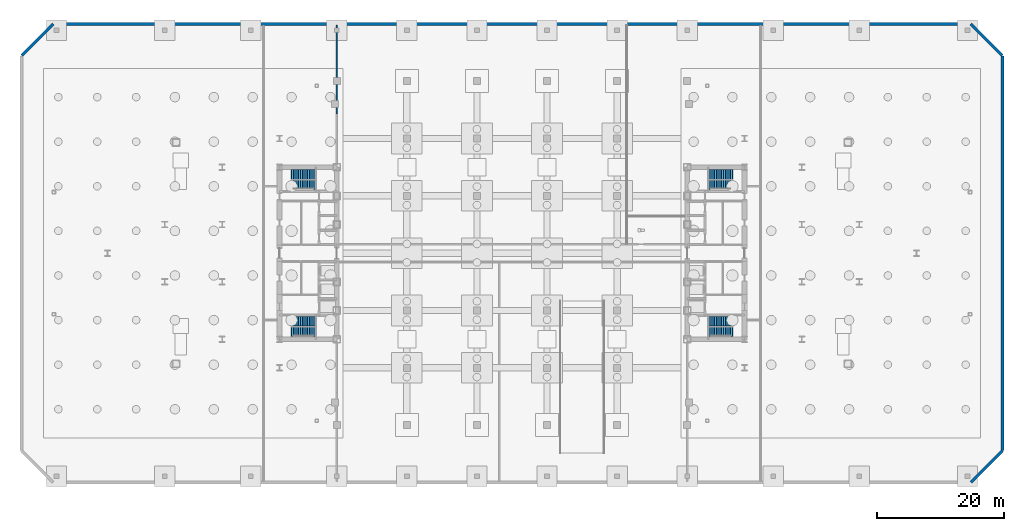
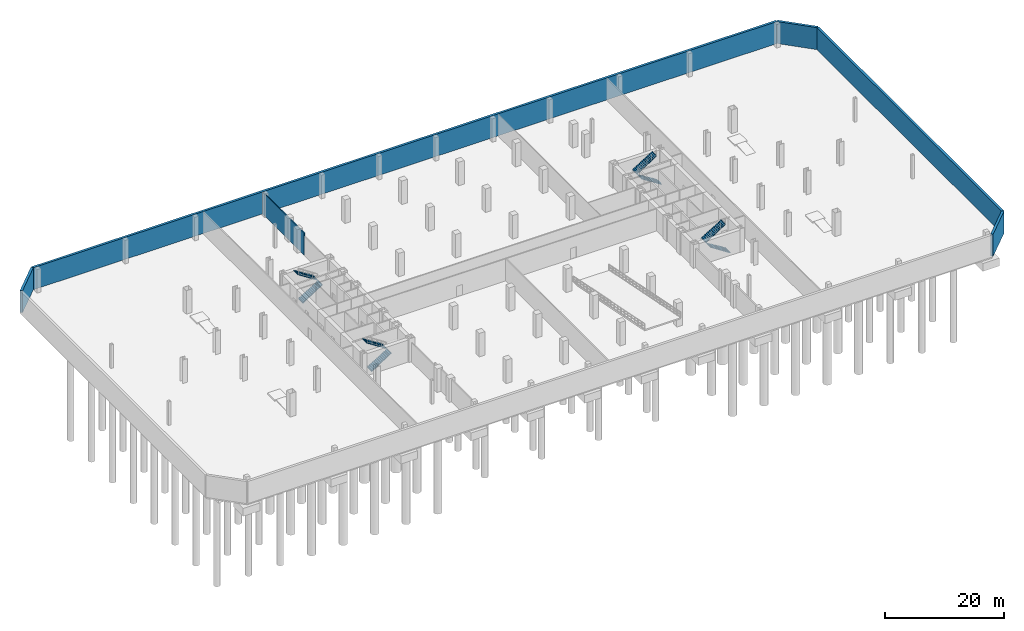
# One storey, part 15 of 18: 8 stair flights, 6 walls, 4 elements without a shape of their own.
"""IFC4 building model written with IfcOpenShell, lengths in metres."""

import ifcopenshell
import ifcopenshell.guid

model = None  # the IFC model being written
_history = None  # IfcOwnerHistory: only IFC2X3 demands one
_inside = {}  # id of a spatial element -> (the spatial element, [elements in it])
_under = {}  # id of a project, library or spatial element -> (it, [spatial elements below it])
_declared = {}  # id of a project -> (the project, [libraries it declares])
_typed = {}  # id of a type object -> (the type object, [elements of that type])
_made_of = {}  # id of a material, layer set ... -> (it, [elements and type objects made of it])


def new_model(schema):
    """Start an empty IFC model of exactly this schema.

    Asked for "IFC4X3", IfcOpenShell would pick the latest addendum, in which some entities
    have other attributes; the version numbers below select the first issue.
    IFC2X3 requires an IfcOwnerHistory on every rooted entity: one is made here for all.
    """
    global model, _history
    if schema == "IFC4X3":
        model = ifcopenshell.file(schema_version=(4, 3, 0, 0))
    else:
        model = ifcopenshell.file(schema=schema)
    _inside.clear()
    _under.clear()
    _declared.clear()
    _typed.clear()
    _made_of.clear()
    _history = None
    if model.schema == "IFC2X3":
        org = make("IfcOrganization", Name="unknown")
        user = make(
            "IfcPersonAndOrganization",
            ThePerson=make("IfcPerson", FamilyName="unknown"),
            TheOrganization=org,
        )
        app = make(
            "IfcApplication",
            ApplicationDeveloper=org,
            Version="unknown",
            ApplicationFullName="unknown",
            ApplicationIdentifier="unknown",
        )
        _history = make(
            "IfcOwnerHistory",
            OwningUser=user,
            OwningApplication=app,
            ChangeAction="ADDED",
            CreationDate=0,
        )
    return model


def make(cls, **values):
    """One entity of the class cls with the attributes given. An attribute that is None is left unset."""
    return model.create_entity(
        cls, **{name: value for name, value in values.items() if value is not None}
    )


def rooted(cls, **values):
    """An entity with a GlobalId (a new one), such as an element, a storey or a relation."""
    return make(cls, GlobalId=ifcopenshell.guid.new(), OwnerHistory=_history, **values)


def si_unit(unit_type, name, prefix=None):
    """IfcSIUnit, for example si_unit("LENGTHUNIT", "METRE", prefix="MILLI")."""
    return make("IfcSIUnit", UnitType=unit_type, Prefix=prefix, Name=name)


def assignment(units):
    """IfcUnitAssignment: the units of a project."""
    return None if units is None else make("IfcUnitAssignment", Units=units)


def point(xyz):
    """IfcCartesianPoint."""
    return None if xyz is None else make("IfcCartesianPoint", Coordinates=xyz)


def direction(xyz):
    """IfcDirection."""
    return None if xyz is None else make("IfcDirection", DirectionRatios=xyz)


def frame(location, z_axis=None, x_axis=None):
    """IfcAxis2Placement3D, a coordinate frame: its origin and axes. An axis left out is left unset."""
    return make(
        "IfcAxis2Placement3D",
        Location=point(location),
        Axis=direction(z_axis),
        RefDirection=direction(x_axis),
    )


def frame_2d(location, x_axis=None):
    """IfcAxis2Placement2D, a coordinate frame in the plane: its origin and x axis."""
    return make(
        "IfcAxis2Placement2D", Location=point(location), RefDirection=direction(x_axis)
    )


def origin():
    """The frame at (0, 0, 0) with its axes left unset."""
    return frame((0.0, 0.0, 0.0))


def place(relative_to, where):
    """IfcLocalPlacement: puts the frame where relative to a parent placement (None: the world)."""
    return make(
        "IfcLocalPlacement", PlacementRelTo=relative_to, RelativePlacement=where
    )


def context(
    kind, dimensions, precision=None, world=None, true_north=None, identifier=None
):
    """IfcGeometricRepresentationContext, for example the 3D "Model" context."""
    return make(
        "IfcGeometricRepresentationContext",
        ContextIdentifier=identifier,
        ContextType=kind,
        CoordinateSpaceDimension=dimensions,
        Precision=precision,
        WorldCoordinateSystem=world,
        TrueNorth=true_north,
    )


def subcontext(parent, identifier, kind, view, scale=None):
    """IfcGeometricRepresentationSubContext, for example "Body" below "Model"."""
    return make(
        "IfcGeometricRepresentationSubContext",
        ContextIdentifier=identifier,
        ContextType=kind,
        ParentContext=parent,
        TargetScale=scale,
        TargetView=view,
    )


def project(units=None, contexts=None):
    """IfcProject with its units and contexts."""
    return rooted(
        "IfcProject",
        Name="project",
        RepresentationContexts=contexts,
        UnitsInContext=assignment(units),
    )


def spatial(cls, under=None, at=None, **own):
    """A site, building, storey or space (cls), placed at a placement, below another one or the project."""
    s = rooted(cls, ObjectPlacement=at, **own)
    if under is not None:
        _under.setdefault(under.id(), (under, []))[1].append(s)
    return s


def polyline(points):
    """IfcPolyline through the points."""
    return make("IfcPolyline", Points=[point(p) for p in points])


def profile(cls, at=None, kind="AREA", **sizes):
    """A parametric profile (cls). Its sizes go by their IFC names, for example OverallWidth=200.0."""
    return make(cls, ProfileType=kind, Position=at, **sizes)


def rectangle(**sizes):
    """IfcRectangleProfileDef."""
    return profile("IfcRectangleProfileDef", **sizes)


def outline(outer, holes=None, kind="AREA"):
    """IfcArbitraryClosedProfileDef: a profile drawn as a closed curve; with holes, ...WithVoids."""
    if holes is None:
        return make("IfcArbitraryClosedProfileDef", ProfileType=kind, OuterCurve=outer)
    return make(
        "IfcArbitraryProfileDefWithVoids",
        ProfileType=kind,
        OuterCurve=outer,
        InnerCurves=holes,
    )


def extrude(swept, where, along, depth):
    """IfcExtrudedAreaSolid: the profile swept, set in the frame where, extruded along a direction by depth."""
    return make(
        "IfcExtrudedAreaSolid",
        SweptArea=swept,
        Position=where,
        ExtrudedDirection=direction(along),
        Depth=depth,
    )


def shape(context_of_items, identifier, shape_type, items):
    """IfcShapeRepresentation: the items that make up one representation, for example the "Body"."""
    return make(
        "IfcShapeRepresentation",
        ContextOfItems=context_of_items,
        RepresentationIdentifier=identifier,
        RepresentationType=shape_type,
        Items=items,
    )


def material(Name=None, Category=None):
    """IfcMaterial."""
    return make("IfcMaterial", Name=Name, Category=Category)


def layer(
    of_material, thickness, ventilated=None, Name=None, Category=None, Priority=None
):
    """IfcMaterialLayer: one layer of a wall or slab, of a material (None: an air gap)."""
    return make(
        "IfcMaterialLayer",
        Material=of_material,
        LayerThickness=thickness,
        IsVentilated=ventilated,
        Name=Name,
        Category=Category,
        Priority=Priority,
    )


def layer_set(layers, Name=None):
    """IfcMaterialLayerSet."""
    return make("IfcMaterialLayerSet", MaterialLayers=layers, LayerSetName=Name)


def made_of(thing, what):
    """Note that an element or type object is made of a material, layer set ...; save() writes the relation."""
    if what is not None:
        _made_of.setdefault(what.id(), (what, []))[1].append(thing)
    return thing


def type_object(cls, material=None, **own):
    """A type object (cls), such as IfcWallType, which elements share."""
    return made_of(rooted(cls, **own), material)


def element(
    cls,
    number,
    at=None,
    inside=None,
    cuts=None,
    type_object=None,
    material=None,
    context=None,
    identifier="Body",
    shape_type=None,
    held_by="IfcProductDefinitionShape",
    body=None,
    shapes=None,
    **own,
):
    """One element of the class cls, such as IfcWall. Its Tag is "e" and its number.

    at: its placement. inside: the storey or other place that contains it. cuts: it is an
    opening in that element (IfcRelVoidsElement). A single representation is given by context,
    identifier, shape_type and body (its items); several are given by shapes. held_by: the class
    of the entity that holds the representations. save() writes the other relations.
    """
    e = rooted(cls, Tag="e%d" % number, ObjectPlacement=at, **own)
    if body is not None:
        shapes = [shape(context, identifier, shape_type, body)]
    if shapes is not None:
        e.Representation = make(held_by, Representations=shapes)
    if inside is not None:
        _inside.setdefault(inside.id(), (inside, []))[1].append(e)
    if cuts is not None:
        rooted(
            "IfcRelVoidsElement", RelatingBuildingElement=cuts, RelatedOpeningElement=e
        )
    if type_object is not None:
        _typed.setdefault(type_object.id(), (type_object, []))[1].append(e)
    return made_of(e, material)


def aggregate(whole, parts):
    """IfcRelAggregates: a whole, such as a stair, and the parts it consists of."""
    return rooted("IfcRelAggregates", RelatingObject=whole, RelatedObjects=parts)


def save(model, path):
    """Write the relations noted so far, then the file.

    IfcRelAggregates (storeys below a building ...), IfcRelContainedInSpatialStructure (elements
    in a storey), IfcRelDefinesByType, IfcRelAssociatesMaterial and IfcRelDeclares: one each for
    every whole, place, type object, material and project.
    """
    for whole, parts in _under.values():
        aggregate(whole, parts)
    for where, things in _inside.values():
        rooted(
            "IfcRelContainedInSpatialStructure",
            RelatedElements=things,
            RelatingStructure=where,
        )
    for kind, things in _typed.values():
        rooted("IfcRelDefinesByType", RelatedObjects=things, RelatingType=kind)
    for what, things in _made_of.values():
        rooted("IfcRelAssociatesMaterial", RelatedObjects=things, RelatingMaterial=what)
    for by, libraries in _declared.values():
        rooted("IfcRelDeclares", RelatingContext=by, RelatedDefinitions=libraries)
    model.write(path)


model = new_model("IFC4")

# Units and contexts
model_context = context("Model", 3, precision=1e-05, world=origin(), true_north=direction((0.0, 1.0)))
body_context = subcontext(model_context, "Body", "Model", "MODEL_VIEW")
ifc_project = project(units=[si_unit("LENGTHUNIT", "METRE"), si_unit("AREAUNIT", "SQUARE_METRE"), si_unit("VOLUMEUNIT", "CUBIC_METRE"), si_unit("PLANEANGLEUNIT", "RADIAN"), si_unit("MASSUNIT", "GRAM", prefix="KILO")], contexts=[model_context])

# Site, building, storey
site_placement = place(None, origin())
site = spatial("IfcSite", under=ifc_project, at=site_placement, CompositionType="ELEMENT")
building_placement = place(site_placement, origin())
building = spatial("IfcBuilding", under=site, at=building_placement, Name="Seokmaru Belvedere", CompositionType="ELEMENT")
storey_placement = place(building_placement, frame((0.0, 0.0, -9.60009765625)))
storey = spatial("IfcBuildingStorey", under=building, at=storey_placement, Name="B2", CompositionType="ELEMENT", Elevation=-9.60009765625)

# Walls
ifc_material_1 = material(Name="Concrete C50 (50 MPa)", Category="concrete")
ifc_layer_1 = layer(ifc_material_1, 0.449951171875)
ifc_layer_set_1 = layer_set([ifc_layer_1], Name="Concrete C50 (50 MPa)")
wall_type_1 = type_object("IfcWallType", Name="Basement Perimeter Retaining Wall 450", PredefinedType="USERDEFINED", material=ifc_layer_set_1)
wall_1_placement = place(storey_placement, frame((72.0283203125, -35.9716796875, 0.0), z_axis=(0.0, 0.0, 1.0), x_axis=(0.707106781187, 0.707106781187, 0.0)))
element("IfcWall", 1, at=wall_1_placement, inside=storey, type_object=wall_type_1, Name="B2 Perimeter Retaining Wall 2", ObjectType="RETAININGWALL", PredefinedType="USERDEFINED", context=body_context, shape_type="SweptSolid", body=[
    extrude(rectangle(XDim=6.990966796875, YDim=0.449951171875, at=frame_2d((3.49560546875, 0.0))), origin(), (0.0, 0.0, 1.0), 4.5),
])
wall_2_placement = place(storey_placement, frame((77.0, -30.9599609375, 0.0), z_axis=(0.0, 0.0, 1.0), x_axis=(0.0, 1.0, 0.0)))
element("IfcWall", 2, at=wall_2_placement, inside=storey, type_object=wall_type_1, Name="B2 Perimeter Retaining Wall 3", ObjectType="RETAININGWALL", PredefinedType="USERDEFINED", context=body_context, shape_type="SweptSolid", body=[
    extrude(rectangle(XDim=61.919921875, YDim=0.449951171875, at=frame_2d((30.9599609375, 0.0))), origin(), (0.0, 0.0, 1.0), 4.5),
])
wall_3_placement = place(storey_placement, frame((76.9716796875, 31.0283203125, 0.0), z_axis=(0.0, 0.0, 1.0), x_axis=(-0.707106781187, 0.707106781187, 0.0)))
element("IfcWall", 3, at=wall_3_placement, inside=storey, type_object=wall_type_1, Name="B2 Perimeter Retaining Wall 4", ObjectType="RETAININGWALL", PredefinedType="USERDEFINED", context=body_context, shape_type="SweptSolid", body=[
    extrude(rectangle(XDim=6.990966796875, YDim=0.449951171875, at=frame_2d((3.49560546875, 0.0))), origin(), (0.0, 0.0, 1.0), 4.5),
])
wall_4_placement = place(storey_placement, frame((71.9599609375, 36.0, 0.0), z_axis=(0.0, 0.0, 1.0), x_axis=(-1.0, 0.0, 0.0)))
element("IfcWall", 4, at=wall_4_placement, inside=storey, type_object=wall_type_1, Name="B2 Perimeter Retaining Wall 5", ObjectType="RETAININGWALL", PredefinedType="USERDEFINED", context=body_context, shape_type="SweptSolid", body=[
    extrude(rectangle(XDim=143.919921875, YDim=0.449951171875, at=frame_2d((71.9599609375, 0.0))), origin(), (0.0, 0.0, 1.0), 4.5),
])
wall_5_placement = place(storey_placement, frame((-72.0283203125, 35.9716796875, 0.0), z_axis=(0.0, 0.0, 1.0), x_axis=(-0.707106781187, -0.707106781187, 0.0)))
element("IfcWall", 5, at=wall_5_placement, inside=storey, type_object=wall_type_1, Name="B2 Perimeter Retaining Wall 6", ObjectType="RETAININGWALL", PredefinedType="USERDEFINED", context=body_context, shape_type="SweptSolid", body=[
    extrude(rectangle(XDim=6.990966796875, YDim=0.449951171875, at=frame_2d((3.49560546875, 0.0))), origin(), (0.0, 0.0, 1.0), 4.5),
])
ifc_material_2 = material(Name="Fire-Rated Gypsum Shaftwall")
ifc_layer_2 = layer(ifc_material_2, 0.199951171875)
ifc_layer_set_2 = layer_set([ifc_layer_2], Name="Fire-Rated Gypsum Shaftwall")
wall_type_2 = type_object("IfcWallType", Name="Inter-Tenancy Fire Compartment Partition 200", PredefinedType="PARTITIONING", material=ifc_layer_set_2)
wall_6_placement = place(storey_placement, frame((-27.5, 21.8125, 0.0), z_axis=(0.0, 0.0, 1.0), x_axis=(0.0, 1.0, 0.0)))
element("IfcWall", 6, at=wall_6_placement, inside=storey, type_object=wall_type_2, Name="B2 Interior Partition 010 Part 2", PredefinedType="PARTITIONING", context=body_context, shape_type="SweptSolid", body=[
    extrude(rectangle(XDim=13.95751953125, YDim=0.199951171875, at=frame_2d((6.978759765625, 0.0))), origin(), (0.0, 0.0, 1.0), 4.5),
])

# Stair, stair flights
ifc_material_3 = material(Name="Concrete C40 (40 MPa)", Category="concrete")
stair_type = type_object("IfcStairType", Name="Basement Core Dog-Leg Stair 4800", PredefinedType="TWO_STRAIGHT_RUN_STAIR", material=ifc_material_3)
stair_1_placement = place(storey_placement, origin())
stair_1 = element("IfcStair", 7, at=stair_1_placement, inside=storey, type_object=stair_type, Name="B2 Special Escape Stair ST-W1", PredefinedType="TWO_STRAIGHT_RUN_STAIR")
stair_flight_type = type_object("IfcStairFlightType", Name="Reinforced Concrete Stair Flight 1500", PredefinedType="STRAIGHT", material=ifc_material_3)
stair_flight_1_placement = place(storey_placement, frame((-34.60009765625, -12.35009765625, 0.0), z_axis=(0.0, 0.0, 1.0), x_axis=(1.0, 0.0, 0.0)))
stair_flight_1 = element("IfcStairFlight", 8, at=stair_flight_1_placement, type_object=stair_flight_type, Name="ST-W1 flight 1", NumberOfRisers=14, NumberOfTreads=13, PredefinedType="STRAIGHT", RiserHeight=0.171428571, TreadLength=0.28, context=body_context, shape_type="SweptSolid", body=[
    extrude(outline(polyline([(-0.080078125, 0.0), (0.0, 0.17138671875), (0.280029296875, 0.17138671875), (0.280029296875, 0.3427734375), (0.56005859375, 0.3427734375), (0.56005859375, 0.514404296875), (0.840087890625, 0.514404296875), (0.840087890625, 0.685791015625), (1.1201171875, 0.685791015625), (1.1201171875, 0.857177734375), (1.39990234375, 0.857177734375), (1.39990234375, 1.028564453125), (1.679931640625, 1.028564453125), (1.679931640625, 1.199951171875), (1.9599609375, 1.199951171875), (1.9599609375, 1.371337890625), (2.239990234375, 1.371337890625), (2.239990234375, 1.54296875), (2.52001953125, 1.54296875), (2.52001953125, 1.71435546875), (2.800048828125, 1.71435546875), (2.800048828125, 1.8857421875), (3.080078125, 1.8857421875), (3.080078125, 2.05712890625), (3.360107421875, 2.05712890625), (3.360107421875, 2.228515625), (3.639892578125, 2.228515625), (3.639892578125, 2.39990234375), (3.719970703125, 2.39990234375), (3.719970703125, 2.2099609375), (3.639892578125, 2.2099609375), (0.0, -0.159912109375), (-0.080078125, -0.159912109375), (-0.080078125, 0.0)])), frame((0.0, 0.75, 0.0), z_axis=(0.0, -1.0, 0.0), x_axis=(1.0, 0.0, 0.0)), (0.0, 0.0, 1.0), 1.5),
])
stair_flight_2_placement = place(storey_placement, frame((-30.9599609375, -10.7099609375, 2.400146484375), z_axis=(0.0, 0.0, 1.0), x_axis=(-1.0, 0.0, 0.0)))
stair_flight_2 = element("IfcStairFlight", 9, at=stair_flight_2_placement, type_object=stair_flight_type, Name="ST-W1 flight 2", NumberOfRisers=14, NumberOfTreads=13, PredefinedType="STRAIGHT", RiserHeight=0.171428571, TreadLength=0.28, context=body_context, shape_type="SweptSolid", body=[
    extrude(outline(polyline([(-0.080078125, 0.0), (0.0, 0.17138671875), (0.280029296875, 0.17138671875), (0.280029296875, 0.3427734375), (0.56005859375, 0.3427734375), (0.56005859375, 0.514404296875), (0.840087890625, 0.514404296875), (0.840087890625, 0.685791015625), (1.1201171875, 0.685791015625), (1.1201171875, 0.857177734375), (1.39990234375, 0.857177734375), (1.39990234375, 1.028564453125), (1.679931640625, 1.028564453125), (1.679931640625, 1.199951171875), (1.9599609375, 1.199951171875), (1.9599609375, 1.371337890625), (2.239990234375, 1.371337890625), (2.239990234375, 1.54296875), (2.52001953125, 1.54296875), (2.52001953125, 1.71435546875), (2.800048828125, 1.71435546875), (2.800048828125, 1.8857421875), (3.080078125, 1.8857421875), (3.080078125, 2.05712890625), (3.360107421875, 2.05712890625), (3.360107421875, 2.228515625), (3.639892578125, 2.228515625), (3.639892578125, 2.39990234375), (3.719970703125, 2.39990234375), (3.719970703125, 2.2099609375), (3.639892578125, 2.2099609375), (0.0, -0.159912109375), (-0.080078125, -0.159912109375), (-0.080078125, 0.0)])), frame((0.0, 0.75, 0.0), z_axis=(0.0, -1.0, 0.0), x_axis=(1.0, 0.0, 0.0)), (0.0, 0.0, 1.0), 1.5),
])
aggregate(stair_1, [stair_flight_1, stair_flight_2])

stair_2_placement = place(storey_placement, origin())
stair_2 = element("IfcStair", 10, at=stair_2_placement, inside=storey, type_object=stair_type, Name="B2 Special Escape Stair ST-W2", PredefinedType="TWO_STRAIGHT_RUN_STAIR")
stair_flight_3_placement = place(storey_placement, frame((-34.60009765625, 10.7099609375, 0.0), z_axis=(0.0, 0.0, 1.0), x_axis=(1.0, 0.0, 0.0)))
stair_flight_3 = element("IfcStairFlight", 11, at=stair_flight_3_placement, type_object=stair_flight_type, Name="ST-W2 flight 1", NumberOfRisers=14, NumberOfTreads=13, PredefinedType="STRAIGHT", RiserHeight=0.171428571, TreadLength=0.28, context=body_context, shape_type="SweptSolid", body=[
    extrude(outline(polyline([(-0.080078125, 0.0), (0.0, 0.17138671875), (0.280029296875, 0.17138671875), (0.280029296875, 0.3427734375), (0.56005859375, 0.3427734375), (0.56005859375, 0.514404296875), (0.840087890625, 0.514404296875), (0.840087890625, 0.685791015625), (1.1201171875, 0.685791015625), (1.1201171875, 0.857177734375), (1.39990234375, 0.857177734375), (1.39990234375, 1.028564453125), (1.679931640625, 1.028564453125), (1.679931640625, 1.199951171875), (1.9599609375, 1.199951171875), (1.9599609375, 1.371337890625), (2.239990234375, 1.371337890625), (2.239990234375, 1.54296875), (2.52001953125, 1.54296875), (2.52001953125, 1.71435546875), (2.800048828125, 1.71435546875), (2.800048828125, 1.8857421875), (3.080078125, 1.8857421875), (3.080078125, 2.05712890625), (3.360107421875, 2.05712890625), (3.360107421875, 2.228515625), (3.639892578125, 2.228515625), (3.639892578125, 2.39990234375), (3.719970703125, 2.39990234375), (3.719970703125, 2.2099609375), (3.639892578125, 2.2099609375), (0.0, -0.159912109375), (-0.080078125, -0.159912109375), (-0.080078125, 0.0)])), frame((0.0, 0.75, 0.0), z_axis=(0.0, -1.0, 0.0), x_axis=(1.0, 0.0, 0.0)), (0.0, 0.0, 1.0), 1.5),
])
stair_flight_4_placement = place(storey_placement, frame((-30.9599609375, 12.35009765625, 2.400146484375), z_axis=(0.0, 0.0, 1.0), x_axis=(-1.0, 0.0, 0.0)))
stair_flight_4 = element("IfcStairFlight", 12, at=stair_flight_4_placement, type_object=stair_flight_type, Name="ST-W2 flight 2", NumberOfRisers=14, NumberOfTreads=13, PredefinedType="STRAIGHT", RiserHeight=0.171428571, TreadLength=0.28, context=body_context, shape_type="SweptSolid", body=[
    extrude(outline(polyline([(-0.080078125, 0.0), (0.0, 0.17138671875), (0.280029296875, 0.17138671875), (0.280029296875, 0.3427734375), (0.56005859375, 0.3427734375), (0.56005859375, 0.514404296875), (0.840087890625, 0.514404296875), (0.840087890625, 0.685791015625), (1.1201171875, 0.685791015625), (1.1201171875, 0.857177734375), (1.39990234375, 0.857177734375), (1.39990234375, 1.028564453125), (1.679931640625, 1.028564453125), (1.679931640625, 1.199951171875), (1.9599609375, 1.199951171875), (1.9599609375, 1.371337890625), (2.239990234375, 1.371337890625), (2.239990234375, 1.54296875), (2.52001953125, 1.54296875), (2.52001953125, 1.71435546875), (2.800048828125, 1.71435546875), (2.800048828125, 1.8857421875), (3.080078125, 1.8857421875), (3.080078125, 2.05712890625), (3.360107421875, 2.05712890625), (3.360107421875, 2.228515625), (3.639892578125, 2.228515625), (3.639892578125, 2.39990234375), (3.719970703125, 2.39990234375), (3.719970703125, 2.2099609375), (3.639892578125, 2.2099609375), (0.0, -0.159912109375), (-0.080078125, -0.159912109375), (-0.080078125, 0.0)])), frame((0.0, 0.75, 0.0), z_axis=(0.0, -1.0, 0.0), x_axis=(1.0, 0.0, 0.0)), (0.0, 0.0, 1.0), 1.5),
])
aggregate(stair_2, [stair_flight_3, stair_flight_4])

stair_3_placement = place(storey_placement, origin())
stair_3 = element("IfcStair", 13, at=stair_3_placement, inside=storey, type_object=stair_type, Name="B2 Special Escape Stair ST-E1", PredefinedType="TWO_STRAIGHT_RUN_STAIR")
stair_flight_5_placement = place(storey_placement, frame((34.60009765625, -12.35009765625, 0.0), z_axis=(0.0, 0.0, 1.0), x_axis=(-1.0, 0.0, 0.0)))
stair_flight_5 = element("IfcStairFlight", 14, at=stair_flight_5_placement, type_object=stair_flight_type, Name="ST-E1 flight 1", NumberOfRisers=14, NumberOfTreads=13, PredefinedType="STRAIGHT", RiserHeight=0.171428571, TreadLength=0.28, context=body_context, shape_type="SweptSolid", body=[
    extrude(outline(polyline([(-0.080078125, 0.0), (0.0, 0.17138671875), (0.280029296875, 0.17138671875), (0.280029296875, 0.3427734375), (0.56005859375, 0.3427734375), (0.56005859375, 0.514404296875), (0.840087890625, 0.514404296875), (0.840087890625, 0.685791015625), (1.1201171875, 0.685791015625), (1.1201171875, 0.857177734375), (1.39990234375, 0.857177734375), (1.39990234375, 1.028564453125), (1.679931640625, 1.028564453125), (1.679931640625, 1.199951171875), (1.9599609375, 1.199951171875), (1.9599609375, 1.371337890625), (2.239990234375, 1.371337890625), (2.239990234375, 1.54296875), (2.52001953125, 1.54296875), (2.52001953125, 1.71435546875), (2.800048828125, 1.71435546875), (2.800048828125, 1.8857421875), (3.080078125, 1.8857421875), (3.080078125, 2.05712890625), (3.360107421875, 2.05712890625), (3.360107421875, 2.228515625), (3.639892578125, 2.228515625), (3.639892578125, 2.39990234375), (3.719970703125, 2.39990234375), (3.719970703125, 2.2099609375), (3.639892578125, 2.2099609375), (0.0, -0.159912109375), (-0.080078125, -0.159912109375), (-0.080078125, 0.0)])), frame((0.0, 0.75, 0.0), z_axis=(0.0, -1.0, 0.0), x_axis=(1.0, 0.0, 0.0)), (0.0, 0.0, 1.0), 1.5),
])
stair_flight_6_placement = place(storey_placement, frame((30.9599609375, -10.7099609375, 2.400146484375), z_axis=(0.0, 0.0, 1.0), x_axis=(1.0, 0.0, 0.0)))
stair_flight_6 = element("IfcStairFlight", 15, at=stair_flight_6_placement, type_object=stair_flight_type, Name="ST-E1 flight 2", NumberOfRisers=14, NumberOfTreads=13, PredefinedType="STRAIGHT", RiserHeight=0.171428571, TreadLength=0.28, context=body_context, shape_type="SweptSolid", body=[
    extrude(outline(polyline([(-0.080078125, 0.0), (0.0, 0.17138671875), (0.280029296875, 0.17138671875), (0.280029296875, 0.3427734375), (0.56005859375, 0.3427734375), (0.56005859375, 0.514404296875), (0.840087890625, 0.514404296875), (0.840087890625, 0.685791015625), (1.1201171875, 0.685791015625), (1.1201171875, 0.857177734375), (1.39990234375, 0.857177734375), (1.39990234375, 1.028564453125), (1.679931640625, 1.028564453125), (1.679931640625, 1.199951171875), (1.9599609375, 1.199951171875), (1.9599609375, 1.371337890625), (2.239990234375, 1.371337890625), (2.239990234375, 1.54296875), (2.52001953125, 1.54296875), (2.52001953125, 1.71435546875), (2.800048828125, 1.71435546875), (2.800048828125, 1.8857421875), (3.080078125, 1.8857421875), (3.080078125, 2.05712890625), (3.360107421875, 2.05712890625), (3.360107421875, 2.228515625), (3.639892578125, 2.228515625), (3.639892578125, 2.39990234375), (3.719970703125, 2.39990234375), (3.719970703125, 2.2099609375), (3.639892578125, 2.2099609375), (0.0, -0.159912109375), (-0.080078125, -0.159912109375), (-0.080078125, 0.0)])), frame((0.0, 0.75, 0.0), z_axis=(0.0, -1.0, 0.0), x_axis=(1.0, 0.0, 0.0)), (0.0, 0.0, 1.0), 1.5),
])
aggregate(stair_3, [stair_flight_5, stair_flight_6])

stair_4_placement = place(storey_placement, origin())
stair_4 = element("IfcStair", 16, at=stair_4_placement, inside=storey, type_object=stair_type, Name="B2 Special Escape Stair ST-E2", PredefinedType="TWO_STRAIGHT_RUN_STAIR")
stair_flight_7_placement = place(storey_placement, frame((34.60009765625, 10.7099609375, 0.0), z_axis=(0.0, 0.0, 1.0), x_axis=(-1.0, 0.0, 0.0)))
stair_flight_7 = element("IfcStairFlight", 17, at=stair_flight_7_placement, type_object=stair_flight_type, Name="ST-E2 flight 1", NumberOfRisers=14, NumberOfTreads=13, PredefinedType="STRAIGHT", RiserHeight=0.171428571, TreadLength=0.28, context=body_context, shape_type="SweptSolid", body=[
    extrude(outline(polyline([(-0.080078125, 0.0), (0.0, 0.17138671875), (0.280029296875, 0.17138671875), (0.280029296875, 0.3427734375), (0.56005859375, 0.3427734375), (0.56005859375, 0.514404296875), (0.840087890625, 0.514404296875), (0.840087890625, 0.685791015625), (1.1201171875, 0.685791015625), (1.1201171875, 0.857177734375), (1.39990234375, 0.857177734375), (1.39990234375, 1.028564453125), (1.679931640625, 1.028564453125), (1.679931640625, 1.199951171875), (1.9599609375, 1.199951171875), (1.9599609375, 1.371337890625), (2.239990234375, 1.371337890625), (2.239990234375, 1.54296875), (2.52001953125, 1.54296875), (2.52001953125, 1.71435546875), (2.800048828125, 1.71435546875), (2.800048828125, 1.8857421875), (3.080078125, 1.8857421875), (3.080078125, 2.05712890625), (3.360107421875, 2.05712890625), (3.360107421875, 2.228515625), (3.639892578125, 2.228515625), (3.639892578125, 2.39990234375), (3.719970703125, 2.39990234375), (3.719970703125, 2.2099609375), (3.639892578125, 2.2099609375), (0.0, -0.159912109375), (-0.080078125, -0.159912109375), (-0.080078125, 0.0)])), frame((0.0, 0.75, 0.0), z_axis=(0.0, -1.0, 0.0), x_axis=(1.0, 0.0, 0.0)), (0.0, 0.0, 1.0), 1.5),
])
stair_flight_8_placement = place(storey_placement, frame((30.9599609375, 12.35009765625, 2.400146484375), z_axis=(0.0, 0.0, 1.0), x_axis=(1.0, 0.0, 0.0)))
stair_flight_8 = element("IfcStairFlight", 18, at=stair_flight_8_placement, type_object=stair_flight_type, Name="ST-E2 flight 2", NumberOfRisers=14, NumberOfTreads=13, PredefinedType="STRAIGHT", RiserHeight=0.171428571, TreadLength=0.28, context=body_context, shape_type="SweptSolid", body=[
    extrude(outline(polyline([(-0.080078125, 0.0), (0.0, 0.17138671875), (0.280029296875, 0.17138671875), (0.280029296875, 0.3427734375), (0.56005859375, 0.3427734375), (0.56005859375, 0.514404296875), (0.840087890625, 0.514404296875), (0.840087890625, 0.685791015625), (1.1201171875, 0.685791015625), (1.1201171875, 0.857177734375), (1.39990234375, 0.857177734375), (1.39990234375, 1.028564453125), (1.679931640625, 1.028564453125), (1.679931640625, 1.199951171875), (1.9599609375, 1.199951171875), (1.9599609375, 1.371337890625), (2.239990234375, 1.371337890625), (2.239990234375, 1.54296875), (2.52001953125, 1.54296875), (2.52001953125, 1.71435546875), (2.800048828125, 1.71435546875), (2.800048828125, 1.8857421875), (3.080078125, 1.8857421875), (3.080078125, 2.05712890625), (3.360107421875, 2.05712890625), (3.360107421875, 2.228515625), (3.639892578125, 2.228515625), (3.639892578125, 2.39990234375), (3.719970703125, 2.39990234375), (3.719970703125, 2.2099609375), (3.639892578125, 2.2099609375), (0.0, -0.159912109375), (-0.080078125, -0.159912109375), (-0.080078125, 0.0)])), frame((0.0, 0.75, 0.0), z_axis=(0.0, -1.0, 0.0), x_axis=(1.0, 0.0, 0.0)), (0.0, 0.0, 1.0), 1.5),
])
aggregate(stair_4, [stair_flight_7, stair_flight_8])

save(model, "model.ifc")
